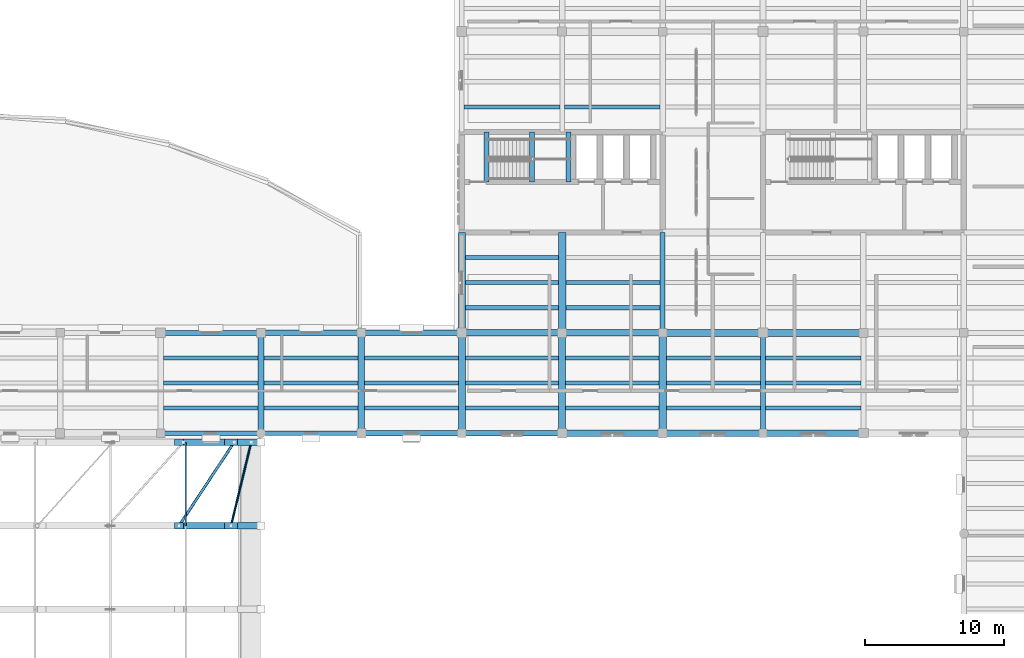
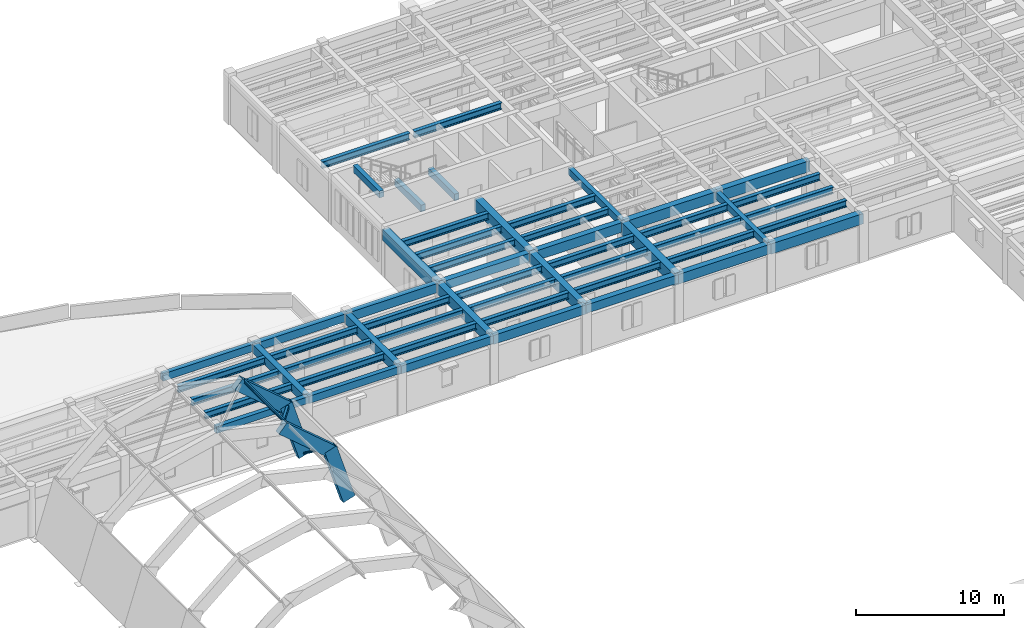
# One storey, part 12 of 66: 58 beams, 3 members.
"""IFC4 building model written with IfcOpenShell, lengths in metres."""

import ifcopenshell
import ifcopenshell.guid

model = None  # the IFC model being written
_history = None  # IfcOwnerHistory: only IFC2X3 demands one
_inside = {}  # id of a spatial element -> (the spatial element, [elements in it])
_under = {}  # id of a project, library or spatial element -> (it, [spatial elements below it])
_declared = {}  # id of a project -> (the project, [libraries it declares])
_typed = {}  # id of a type object -> (the type object, [elements of that type])
_made_of = {}  # id of a material, layer set ... -> (it, [elements and type objects made of it])


def new_model(schema):
    """Start an empty IFC model of exactly this schema.

    Asked for "IFC4X3", IfcOpenShell would pick the latest addendum, in which some entities
    have other attributes; the version numbers below select the first issue.
    IFC2X3 requires an IfcOwnerHistory on every rooted entity: one is made here for all.
    """
    global model, _history
    if schema == "IFC4X3":
        model = ifcopenshell.file(schema_version=(4, 3, 0, 0))
    else:
        model = ifcopenshell.file(schema=schema)
    _inside.clear()
    _under.clear()
    _declared.clear()
    _typed.clear()
    _made_of.clear()
    _history = None
    if model.schema == "IFC2X3":
        org = make("IfcOrganization", Name="unknown")
        user = make(
            "IfcPersonAndOrganization",
            ThePerson=make("IfcPerson", FamilyName="unknown"),
            TheOrganization=org,
        )
        app = make(
            "IfcApplication",
            ApplicationDeveloper=org,
            Version="unknown",
            ApplicationFullName="unknown",
            ApplicationIdentifier="unknown",
        )
        _history = make(
            "IfcOwnerHistory",
            OwningUser=user,
            OwningApplication=app,
            ChangeAction="ADDED",
            CreationDate=0,
        )
    return model


def make(cls, **values):
    """One entity of the class cls with the attributes given. An attribute that is None is left unset."""
    return model.create_entity(
        cls, **{name: value for name, value in values.items() if value is not None}
    )


def rooted(cls, **values):
    """An entity with a GlobalId (a new one), such as an element, a storey or a relation."""
    return make(cls, GlobalId=ifcopenshell.guid.new(), OwnerHistory=_history, **values)


def si_unit(unit_type, name, prefix=None):
    """IfcSIUnit, for example si_unit("LENGTHUNIT", "METRE", prefix="MILLI")."""
    return make("IfcSIUnit", UnitType=unit_type, Prefix=prefix, Name=name)


def assignment(units):
    """IfcUnitAssignment: the units of a project."""
    return None if units is None else make("IfcUnitAssignment", Units=units)


def point(xyz):
    """IfcCartesianPoint."""
    return None if xyz is None else make("IfcCartesianPoint", Coordinates=xyz)


def direction(xyz):
    """IfcDirection."""
    return None if xyz is None else make("IfcDirection", DirectionRatios=xyz)


def frame(location, z_axis=None, x_axis=None):
    """IfcAxis2Placement3D, a coordinate frame: its origin and axes. An axis left out is left unset."""
    return make(
        "IfcAxis2Placement3D",
        Location=point(location),
        Axis=direction(z_axis),
        RefDirection=direction(x_axis),
    )


def frame_2d(location, x_axis=None):
    """IfcAxis2Placement2D, a coordinate frame in the plane: its origin and x axis."""
    return make(
        "IfcAxis2Placement2D", Location=point(location), RefDirection=direction(x_axis)
    )


def origin():
    """The frame at (0, 0, 0) with its axes left unset."""
    return frame((0.0, 0.0, 0.0))


def origin_2d():
    """The frame at (0, 0) in the plane with its x axis left unset."""
    return frame_2d((0.0, 0.0))


def place(relative_to, where):
    """IfcLocalPlacement: puts the frame where relative to a parent placement (None: the world)."""
    return make(
        "IfcLocalPlacement", PlacementRelTo=relative_to, RelativePlacement=where
    )


def context(
    kind, dimensions, precision=None, world=None, true_north=None, identifier=None
):
    """IfcGeometricRepresentationContext, for example the 3D "Model" context."""
    return make(
        "IfcGeometricRepresentationContext",
        ContextIdentifier=identifier,
        ContextType=kind,
        CoordinateSpaceDimension=dimensions,
        Precision=precision,
        WorldCoordinateSystem=world,
        TrueNorth=true_north,
    )


def subcontext(parent, identifier, kind, view, scale=None):
    """IfcGeometricRepresentationSubContext, for example "Body" below "Model"."""
    return make(
        "IfcGeometricRepresentationSubContext",
        ContextIdentifier=identifier,
        ContextType=kind,
        ParentContext=parent,
        TargetScale=scale,
        TargetView=view,
    )


def project(units=None, contexts=None):
    """IfcProject with its units and contexts."""
    return rooted(
        "IfcProject",
        Name="project",
        RepresentationContexts=contexts,
        UnitsInContext=assignment(units),
    )


def spatial(cls, under=None, at=None, **own):
    """A site, building, storey or space (cls), placed at a placement, below another one or the project."""
    s = rooted(cls, ObjectPlacement=at, **own)
    if under is not None:
        _under.setdefault(under.id(), (under, []))[1].append(s)
    return s


def profile(cls, at=None, kind="AREA", **sizes):
    """A parametric profile (cls). Its sizes go by their IFC names, for example OverallWidth=200.0."""
    return make(cls, ProfileType=kind, Position=at, **sizes)


def rectangle(**sizes):
    """IfcRectangleProfileDef."""
    return profile("IfcRectangleProfileDef", **sizes)


def hollow_rectangle(**sizes):
    """IfcRectangleHollowProfileDef."""
    return profile("IfcRectangleHollowProfileDef", **sizes)


def hollow_circle(**sizes):
    """IfcCircleHollowProfileDef."""
    return profile("IfcCircleHollowProfileDef", **sizes)


def i_section(**sizes):
    """IfcIShapeProfileDef."""
    return profile("IfcIShapeProfileDef", **sizes)


def extrude(swept, where, along, depth):
    """IfcExtrudedAreaSolid: the profile swept, set in the frame where, extruded along a direction by depth."""
    return make(
        "IfcExtrudedAreaSolid",
        SweptArea=swept,
        Position=where,
        ExtrudedDirection=direction(along),
        Depth=depth,
    )


def shape(context_of_items, identifier, shape_type, items):
    """IfcShapeRepresentation: the items that make up one representation, for example the "Body"."""
    return make(
        "IfcShapeRepresentation",
        ContextOfItems=context_of_items,
        RepresentationIdentifier=identifier,
        RepresentationType=shape_type,
        Items=items,
    )


def material(Name=None, Category=None):
    """IfcMaterial."""
    return make("IfcMaterial", Name=Name, Category=Category)


def material_profile(
    of_material, cross_section, Name=None, Category=None, Priority=None
):
    """IfcMaterialProfile: a cross section and its material."""
    return make(
        "IfcMaterialProfile",
        Name=Name,
        Material=of_material,
        Profile=cross_section,
        Priority=Priority,
        Category=Category,
    )


def profile_set(profiles, Name=None, composite=None):
    """IfcMaterialProfileSet."""
    return make(
        "IfcMaterialProfileSet",
        Name=Name,
        MaterialProfiles=profiles,
        CompositeProfile=composite,
    )


def made_of(thing, what):
    """Note that an element or type object is made of a material, layer set ...; save() writes the relation."""
    if what is not None:
        _made_of.setdefault(what.id(), (what, []))[1].append(thing)
    return thing


def type_object(cls, material=None, **own):
    """A type object (cls), such as IfcWallType, which elements share."""
    return made_of(rooted(cls, **own), material)


def element(
    cls,
    number,
    at=None,
    inside=None,
    cuts=None,
    type_object=None,
    material=None,
    context=None,
    identifier="Body",
    shape_type=None,
    held_by="IfcProductDefinitionShape",
    body=None,
    shapes=None,
    **own,
):
    """One element of the class cls, such as IfcWall. Its Tag is "e" and its number.

    at: its placement. inside: the storey or other place that contains it. cuts: it is an
    opening in that element (IfcRelVoidsElement). A single representation is given by context,
    identifier, shape_type and body (its items); several are given by shapes. held_by: the class
    of the entity that holds the representations. save() writes the other relations.
    """
    e = rooted(cls, Tag="e%d" % number, ObjectPlacement=at, **own)
    if body is not None:
        shapes = [shape(context, identifier, shape_type, body)]
    if shapes is not None:
        e.Representation = make(held_by, Representations=shapes)
    if inside is not None:
        _inside.setdefault(inside.id(), (inside, []))[1].append(e)
    if cuts is not None:
        rooted(
            "IfcRelVoidsElement", RelatingBuildingElement=cuts, RelatedOpeningElement=e
        )
    if type_object is not None:
        _typed.setdefault(type_object.id(), (type_object, []))[1].append(e)
    return made_of(e, material)


def aggregate(whole, parts):
    """IfcRelAggregates: a whole, such as a stair, and the parts it consists of."""
    return rooted("IfcRelAggregates", RelatingObject=whole, RelatedObjects=parts)


def save(model, path):
    """Write the relations noted so far, then the file.

    IfcRelAggregates (storeys below a building ...), IfcRelContainedInSpatialStructure (elements
    in a storey), IfcRelDefinesByType, IfcRelAssociatesMaterial and IfcRelDeclares: one each for
    every whole, place, type object, material and project.
    """
    for whole, parts in _under.values():
        aggregate(whole, parts)
    for where, things in _inside.values():
        rooted(
            "IfcRelContainedInSpatialStructure",
            RelatedElements=things,
            RelatingStructure=where,
        )
    for kind, things in _typed.values():
        rooted("IfcRelDefinesByType", RelatedObjects=things, RelatingType=kind)
    for what, things in _made_of.values():
        rooted("IfcRelAssociatesMaterial", RelatedObjects=things, RelatingMaterial=what)
    for by, libraries in _declared.values():
        rooted("IfcRelDeclares", RelatingContext=by, RelatedDefinitions=libraries)
    model.write(path)


model = new_model("IFC4")

# Units and contexts
model_context = context("Model", 3, precision=1e-05, world=origin(), true_north=direction((0.0, 1.0)))
body_context = subcontext(model_context, "Body", "Model", "MODEL_VIEW")
ifc_project = project(units=[si_unit("LENGTHUNIT", "METRE"), si_unit("AREAUNIT", "SQUARE_METRE"), si_unit("VOLUMEUNIT", "CUBIC_METRE"), si_unit("PLANEANGLEUNIT", "RADIAN"), si_unit("MASSUNIT", "GRAM", prefix="KILO")], contexts=[model_context])

# Site, building, storey
site_placement = place(None, origin())
site = spatial("IfcSite", under=ifc_project, at=site_placement, CompositionType="ELEMENT")
building_placement = place(site_placement, origin())
building = spatial("IfcBuilding", under=site, at=building_placement, Name="Mithqara Police Headquarters", CompositionType="ELEMENT")
storey_placement = place(building_placement, frame((0.0, 0.0, 9.60009765625)))
storey = spatial("IfcBuildingStorey", under=building, at=storey_placement, Name="L02", CompositionType="ELEMENT", Elevation=9.60009765625)

# Beams
ifc_material_1 = material(Name="Steel S355JR", Category="steel")
ifc_material_profile_1 = material_profile(ifc_material_1, i_section(OverallWidth=0.300048828125, OverallDepth=0.550048828125, WebThickness=0.014892578125, FlangeThickness=0.029052734375, FilletRadius=0.027099609375, at=origin_2d()), Name="HEB 550")
ifc_profile_set_1 = profile_set([ifc_material_profile_1], Name="Steel S355JR")
beam_type_1 = type_object("IfcBeamType", Name="BEAM HEB550", PredefinedType="BEAM", material=ifc_profile_set_1)
for number, where, z_axis, x_axis, name in (
    (1, (87.199951171875, 80.39990234375, 3.664794921875), (1.0, 0.0, 0.0), (0.0, 1.0, 0.0), "L02 Composite Steel Joist 13-14/M.1"),
    (2, (87.199951171875, 82.199951171875, 3.664794921875), (1.0, 0.0, 0.0), (0.0, 1.0, 0.0), "L02 Composite Steel Joist 13-14/M.2"),
    (3, (87.199951171875, 84.0, 3.664794921875), (1.0, 0.0, 0.0), (0.0, 1.0, 0.0), "L02 Composite Steel Joist 13-14/M.3"),
):
    element("IfcBeam", number, at=place(storey_placement, frame(where, z_axis=z_axis, x_axis=x_axis)), inside=storey, type_object=beam_type_1, Name=name, PredefinedType="BEAM", context=body_context, shape_type="SweptSolid", body=[
        extrude(i_section(OverallWidth=0.300048828125, OverallDepth=0.550048828125, WebThickness=0.014892578125, FlangeThickness=0.029052734375, FilletRadius=0.027099609375, at=origin_2d()), origin(), (0.0, 0.0, 1.0), 6.775146484375),
    ])
for number, where, z_axis, x_axis, name in (
    (4, (94.425048828125, 80.39990234375, 3.664794921875), (1.0, 0.0, 0.0), (0.0, 1.0, 0.0), "L02 Composite Steel Joist 14-15/M.1"),
    (5, (94.425048828125, 82.199951171875, 3.664794921875), (1.0, 0.0, 0.0), (0.0, 1.0, 0.0), "L02 Composite Steel Joist 14-15/M.2"),
    (6, (94.425048828125, 84.0, 3.664794921875), (1.0, 0.0, 0.0), (0.0, 1.0, 0.0), "L02 Composite Steel Joist 14-15/M.3"),
):
    element("IfcBeam", number, at=place(storey_placement, frame(where, z_axis=z_axis, x_axis=x_axis)), inside=storey, type_object=beam_type_1, Name=name, PredefinedType="BEAM", context=body_context, shape_type="SweptSolid", body=[
        extrude(i_section(OverallWidth=0.300048828125, OverallDepth=0.550048828125, WebThickness=0.014892578125, FlangeThickness=0.029052734375, FilletRadius=0.027099609375, at=origin_2d()), origin(), (0.0, 0.0, 1.0), 6.75),
    ])
for number, where, z_axis, x_axis, name in (
    (7, (101.625, 80.39990234375, 3.664794921875), (1.0, 0.0, 0.0), (0.0, 1.0, 0.0), "L02 Composite Steel Joist 15-16/M.1"),
    (8, (101.625, 82.199951171875, 3.664794921875), (1.0, 0.0, 0.0), (0.0, 1.0, 0.0), "L02 Composite Steel Joist 15-16/M.2"),
    (9, (101.625, 84.0, 3.664794921875), (1.0, 0.0, 0.0), (0.0, 1.0, 0.0), "L02 Composite Steel Joist 15-16/M.3"),
):
    element("IfcBeam", number, at=place(storey_placement, frame(where, z_axis=z_axis, x_axis=x_axis)), inside=storey, type_object=beam_type_1, Name=name, PredefinedType="BEAM", context=body_context, shape_type="SweptSolid", body=[
        extrude(i_section(OverallWidth=0.300048828125, OverallDepth=0.550048828125, WebThickness=0.014892578125, FlangeThickness=0.029052734375, FilletRadius=0.027099609375, at=origin_2d()), origin(), (0.0, 0.0, 1.0), 6.72509765625),
    ])
for number, where, z_axis, x_axis, name in (
    (10, (108.85009765625, 80.39990234375, 3.664794921875), (1.0, 0.0, 0.0), (0.0, 1.0, 0.0), "L02 Composite Steel Joist 16-17/M.1"),
    (11, (108.85009765625, 82.199951171875, 3.664794921875), (1.0, 0.0, 0.0), (0.0, 1.0, 0.0), "L02 Composite Steel Joist 16-17/M.2"),
    (12, (108.85009765625, 84.0, 3.664794921875), (1.0, 0.0, 0.0), (0.0, 1.0, 0.0), "L02 Composite Steel Joist 16-17/M.3"),
):
    element("IfcBeam", number, at=place(storey_placement, frame(where, z_axis=z_axis, x_axis=x_axis)), inside=storey, type_object=beam_type_1, Name=name, PredefinedType="BEAM", context=body_context, shape_type="SweptSolid", body=[
        extrude(i_section(OverallWidth=0.300048828125, OverallDepth=0.550048828125, WebThickness=0.014892578125, FlangeThickness=0.029052734375, FilletRadius=0.027099609375, at=origin_2d()), origin(), (0.0, 0.0, 1.0), 6.699951171875),
    ])
for number, where, z_axis, x_axis, name in (
    (13, (108.85009765625, 87.60009765625, 3.664794921875), (1.0, 0.0, 0.0), (0.0, 1.0, 0.0), "L02 Composite Steel Joist 16-17/N.1"),
    (14, (108.85009765625, 89.39990234375, 3.664794921875), (1.0, 0.0, 0.0), (0.0, 1.0, 0.0), "L02 Composite Steel Joist 16-17/N.2"),
    (15, (108.85009765625, 91.199951171875, 3.664794921875), (1.0, 0.0, 0.0), (0.0, 1.0, 0.0), "L02 Composite Steel Joist 16-17/N.3"),
):
    element("IfcBeam", number, at=place(storey_placement, frame(where, z_axis=z_axis, x_axis=x_axis)), inside=storey, type_object=beam_type_1, Name=name, PredefinedType="BEAM", context=body_context, shape_type="SweptSolid", body=[
        extrude(i_section(OverallWidth=0.300048828125, OverallDepth=0.550048828125, WebThickness=0.014892578125, FlangeThickness=0.029052734375, FilletRadius=0.027099609375, at=origin_2d()), origin(), (0.0, 0.0, 1.0), 6.6748046875),
    ])
beam_1_placement = place(storey_placement, frame((108.77490234375, 102.0, 3.664794921875), z_axis=(1.0, 0.0, 0.0), x_axis=(0.0, 1.0, 0.0)))
element("IfcBeam", 16, at=beam_1_placement, inside=storey, type_object=beam_type_1, Name="L02 Composite Steel Joist 16-17/Q.1", PredefinedType="BEAM", context=body_context, shape_type="SweptSolid", body=[
    extrude(i_section(OverallWidth=0.300048828125, OverallDepth=0.550048828125, WebThickness=0.014892578125, FlangeThickness=0.029052734375, FilletRadius=0.027099609375, at=origin_2d()), origin(), (0.0, 0.0, 1.0), 6.85009765625),
])
for number, where, z_axis, x_axis, name in (
    (17, (116.050048828125, 80.39990234375, 3.664794921875), (1.0, 0.0, 0.0), (0.0, 1.0, 0.0), "L02 Composite Steel Joist 17-18/M.1"),
    (18, (116.050048828125, 82.199951171875, 3.664794921875), (1.0, 0.0, 0.0), (0.0, 1.0, 0.0), "L02 Composite Steel Joist 17-18/M.2"),
    (19, (116.050048828125, 84.0, 3.664794921875), (1.0, 0.0, 0.0), (0.0, 1.0, 0.0), "L02 Composite Steel Joist 17-18/M.3"),
):
    element("IfcBeam", number, at=place(storey_placement, frame(where, z_axis=z_axis, x_axis=x_axis)), inside=storey, type_object=beam_type_1, Name=name, PredefinedType="BEAM", context=body_context, shape_type="SweptSolid", body=[
        extrude(i_section(OverallWidth=0.300048828125, OverallDepth=0.550048828125, WebThickness=0.014892578125, FlangeThickness=0.029052734375, FilletRadius=0.027099609375, at=origin_2d()), origin(), (0.0, 0.0, 1.0), 6.675048828125),
    ])
for number, where, z_axis, x_axis, name in (
    (20, (116.074951171875, 87.60009765625, 3.664794921875), (1.0, 0.0, 0.0), (0.0, 1.0, 0.0), "L02 Composite Steel Joist 17-18/N.1"),
    (21, (116.074951171875, 89.39990234375, 3.664794921875), (1.0, 0.0, 0.0), (0.0, 1.0, 0.0), "L02 Composite Steel Joist 17-18/N.2"),
):
    element("IfcBeam", number, at=place(storey_placement, frame(where, z_axis=z_axis, x_axis=x_axis)), inside=storey, type_object=beam_type_1, Name=name, PredefinedType="BEAM", context=body_context, shape_type="SweptSolid", body=[
        extrude(i_section(OverallWidth=0.300048828125, OverallDepth=0.550048828125, WebThickness=0.014892578125, FlangeThickness=0.029052734375, FilletRadius=0.027099609375, at=origin_2d()), origin(), (0.0, 0.0, 1.0), 6.75),
    ])
beam_2_placement = place(storey_placement, frame((115.97509765625, 102.0, 3.664794921875), z_axis=(1.0, 0.0, 0.0), x_axis=(0.0, 1.0, 0.0)))
element("IfcBeam", 22, at=beam_2_placement, inside=storey, type_object=beam_type_1, Name="L02 Composite Steel Joist 17-18/Q.1", PredefinedType="BEAM", context=body_context, shape_type="SweptSolid", body=[
    extrude(i_section(OverallWidth=0.300048828125, OverallDepth=0.550048828125, WebThickness=0.014892578125, FlangeThickness=0.029052734375, FilletRadius=0.027099609375, at=origin_2d()), origin(), (0.0, 0.0, 1.0), 6.824951171875),
])
for number, where, z_axis, x_axis, name in (
    (23, (123.27490234375, 80.39990234375, 3.664794921875), (1.0, 0.0, 0.0), (0.0, 1.0, 0.0), "L02 Composite Steel Joist 18-19/M.1"),
    (24, (123.27490234375, 82.199951171875, 3.664794921875), (1.0, 0.0, 0.0), (0.0, 1.0, 0.0), "L02 Composite Steel Joist 18-19/M.2"),
    (25, (123.27490234375, 84.0, 3.664794921875), (1.0, 0.0, 0.0), (0.0, 1.0, 0.0), "L02 Composite Steel Joist 18-19/M.3"),
):
    element("IfcBeam", number, at=place(storey_placement, frame(where, z_axis=z_axis, x_axis=x_axis)), inside=storey, type_object=beam_type_1, Name=name, PredefinedType="BEAM", context=body_context, shape_type="SweptSolid", body=[
        extrude(i_section(OverallWidth=0.300048828125, OverallDepth=0.550048828125, WebThickness=0.014892578125, FlangeThickness=0.029052734375, FilletRadius=0.027099609375, at=origin_2d()), origin(), (0.0, 0.0, 1.0), 6.75),
    ])
for number, where, z_axis, x_axis, name in (
    (26, (130.375, 80.39990234375, 3.664794921875), (1.0, 0.0, 0.0), (0.0, 1.0, 0.0), "L02 Composite Steel Joist 19-20/M.1"),
    (27, (130.375, 82.199951171875, 3.664794921875), (1.0, 0.0, 0.0), (0.0, 1.0, 0.0), "L02 Composite Steel Joist 19-20/M.2"),
    (28, (130.375, 84.0, 3.664794921875), (1.0, 0.0, 0.0), (0.0, 1.0, 0.0), "L02 Composite Steel Joist 19-20/M.3"),
):
    element("IfcBeam", number, at=place(storey_placement, frame(where, z_axis=z_axis, x_axis=x_axis)), inside=storey, type_object=beam_type_1, Name=name, PredefinedType="BEAM", context=body_context, shape_type="SweptSolid", body=[
        extrude(i_section(OverallWidth=0.300048828125, OverallDepth=0.550048828125, WebThickness=0.014892578125, FlangeThickness=0.029052734375, FilletRadius=0.027099609375, at=origin_2d()), origin(), (0.0, 0.0, 1.0), 6.85009765625),
    ])
ifc_material_2 = material(Name="Concrete C40/50", Category="concrete")
ifc_material_profile_2 = material_profile(ifc_material_2, rectangle(XDim=0.35009765625, YDim=0.550048828125, at=origin_2d()), Name="RC 350x550")
ifc_profile_set_2 = profile_set([ifc_material_profile_2], Name="Concrete C40/50")
beam_type_2 = type_object("IfcBeamType", Name="BEAM RC350X550", PredefinedType="BEAM", material=ifc_profile_set_2)
for number, where, z_axis, x_axis, name in (
    (29, (87.0, 78.60009765625, 3.664794921875), (1.0, 0.0, 0.0), (0.0, 1.0, 0.0), "L02 Girder 13-14/M"),
    (30, (123.0, 85.800048828125, 3.664794921875), (0.0, 1.0, 0.0), (-1.0, 0.0, 0.0), "L02 Girder 18/N-P"),
    (31, (130.199951171875, 78.60009765625, 3.664794921875), (0.0, 1.0, 0.0), (-1.0, 0.0, 0.0), "L02 Girder 19/M-N"),
):
    element("IfcBeam", number, at=place(storey_placement, frame(where, z_axis=z_axis, x_axis=x_axis)), inside=storey, type_object=beam_type_2, Name=name, PredefinedType="BEAM", context=body_context, shape_type="SweptSolid", body=[
        extrude(rectangle(XDim=0.35009765625, YDim=0.550048828125, at=origin_2d()), origin(), (0.0, 0.0, 1.0), 7.199951171875),
    ])
for number, where, z_axis, x_axis, name in (
    (32, (113.6298828125, 96.6201171875, 1.635009765625), (0.0, 1.0, 0.0), (-1.0, 0.0, 0.0), "L02 ST-01 Half-Landing Bearer LF"),
    (33, (116.25, 96.6201171875, 1.635009765625), (0.0, 1.0, 0.0), (-1.0, 0.0, 0.0), "L02 ST-01 Half-Landing Bearer LB"),
    (34, (110.376953125, 96.6201171875, 3.9248046875), (0.0, 1.0, 0.0), (-1.0, 0.0, 0.0), "L02 ST-01 Stairwell Trimmer Beam"),
):
    element("IfcBeam", number, at=place(storey_placement, frame(where, z_axis=z_axis, x_axis=x_axis)), inside=storey, type_object=beam_type_2, Name=name, PredefinedType="BEAM", context=body_context, shape_type="SweptSolid", body=[
        extrude(rectangle(XDim=0.35009765625, YDim=0.550048828125, at=origin_2d()), origin(), (0.0, 0.0, 1.0), 3.579833984375),
    ])
ifc_material_profile_3 = material_profile(ifc_material_2, rectangle(XDim=0.35009765625, YDim=0.60009765625, at=origin_2d()), Name="RC 350x600")
ifc_profile_set_3 = profile_set([ifc_material_profile_3], Name="Concrete C40/50")
beam_type_3 = type_object("IfcBeamType", Name="BEAM RC350X600", PredefinedType="BEAM", material=ifc_profile_set_3)
for number, where, z_axis, x_axis, name in (
    (35, (87.0, 85.800048828125, 3.639892578125), (1.0, 0.0, 0.0), (0.0, 1.0, 0.0), "L02 Girder 13-14/N"),
    (36, (94.199951171875, 78.60009765625, 3.639892578125), (1.0, 0.0, 0.0), (0.0, 1.0, 0.0), "L02 Girder 14-15/M"),
):
    element("IfcBeam", number, at=place(storey_placement, frame(where, z_axis=z_axis, x_axis=x_axis)), inside=storey, type_object=beam_type_3, Name=name, PredefinedType="BEAM", context=body_context, shape_type="SweptSolid", body=[
        extrude(rectangle(XDim=0.35009765625, YDim=0.60009765625, at=origin_2d()), origin(), (0.0, 0.0, 1.0), 7.199951171875),
    ])
ifc_material_profile_4 = material_profile(ifc_material_2, rectangle(XDim=0.39990234375, YDim=0.64990234375, at=origin_2d()), Name="RC 400x650")
ifc_profile_set_4 = profile_set([ifc_material_profile_4], Name="Concrete C40/50")
beam_type_4 = type_object("IfcBeamType", Name="BEAM RC400X650", PredefinedType="BEAM", material=ifc_profile_set_4)
beam_3_placement = place(storey_placement, frame((94.199951171875, 85.800048828125, 3.614990234375), z_axis=(1.0, 0.0, 0.0), x_axis=(0.0, 1.0, 0.0)))
element("IfcBeam", 37, at=beam_3_placement, inside=storey, type_object=beam_type_4, Name="L02 Girder 14-15/N", PredefinedType="BEAM", context=body_context, shape_type="SweptSolid", body=[
    extrude(rectangle(XDim=0.39990234375, YDim=0.64990234375, at=origin_2d()), origin(), (0.0, 0.0, 1.0), 7.199951171875),
])
beam_4_placement = place(storey_placement, frame((101.39990234375, 78.60009765625, 3.614990234375), z_axis=(1.0, 0.0, 0.0), x_axis=(0.0, 1.0, 0.0)))
element("IfcBeam", 38, at=beam_4_placement, inside=storey, type_object=beam_type_4, Name="L02 Girder 15-16/M", PredefinedType="BEAM", context=body_context, shape_type="SweptSolid", body=[
    extrude(rectangle(XDim=0.39990234375, YDim=0.64990234375, at=origin_2d()), origin(), (0.0, 0.0, 1.0), 7.2001953125),
])
ifc_material_profile_5 = material_profile(ifc_material_2, rectangle(XDim=0.39990234375, YDim=0.75, at=origin_2d()), Name="RC 400x750")
ifc_profile_set_5 = profile_set([ifc_material_profile_5], Name="Concrete C40/50")
beam_type_5 = type_object("IfcBeamType", Name="BEAM RC400X750", PredefinedType="BEAM", material=ifc_profile_set_5)
beam_5_placement = place(storey_placement, frame((101.39990234375, 85.800048828125, 3.56494140625), z_axis=(1.0, 0.0, 0.0), x_axis=(0.0, 1.0, 0.0)))
element("IfcBeam", 39, at=beam_5_placement, inside=storey, type_object=beam_type_5, Name="L02 Girder 15-16/N", PredefinedType="BEAM", context=body_context, shape_type="SweptSolid", body=[
    extrude(rectangle(XDim=0.39990234375, YDim=0.75, at=origin_2d()), origin(), (0.0, 0.0, 1.0), 7.2001953125),
])
beam_6_placement = place(storey_placement, frame((108.60009765625, 78.60009765625, 3.56494140625), z_axis=(1.0, 0.0, 0.0), x_axis=(0.0, 1.0, 0.0)))
element("IfcBeam", 40, at=beam_6_placement, inside=storey, type_object=beam_type_5, Name="L02 Girder 16-17/M", PredefinedType="BEAM", context=body_context, shape_type="SweptSolid", body=[
    extrude(rectangle(XDim=0.39990234375, YDim=0.75, at=origin_2d()), origin(), (0.0, 0.0, 1.0), 7.199951171875),
])
ifc_material_profile_6 = material_profile(ifc_material_2, rectangle(XDim=0.449951171875, YDim=0.699951171875, at=origin_2d()), Name="RC 450x700")
ifc_profile_set_6 = profile_set([ifc_material_profile_6], Name="Concrete C40/50")
beam_type_6 = type_object("IfcBeamType", Name="BEAM RC450X700", PredefinedType="BEAM", material=ifc_profile_set_6)
for number, where, z_axis, x_axis, name in (
    (41, (94.199951171875, 78.60009765625, 3.58984375), (0.0, 1.0, 0.0), (-1.0, 0.0, 0.0), "L02 Girder 14/M-N"),
    (42, (108.60009765625, 85.800048828125, 3.58984375), (1.0, 0.0, 0.0), (0.0, 1.0, 0.0), "L02 Girder 16-17/N"),
    (43, (115.800048828125, 78.60009765625, 3.58984375), (1.0, 0.0, 0.0), (0.0, 1.0, 0.0), "L02 Girder 17-18/M"),
):
    element("IfcBeam", number, at=place(storey_placement, frame(where, z_axis=z_axis, x_axis=x_axis)), inside=storey, type_object=beam_type_6, Name=name, PredefinedType="BEAM", context=body_context, shape_type="SweptSolid", body=[
        extrude(rectangle(XDim=0.449951171875, YDim=0.699951171875, at=origin_2d()), origin(), (0.0, 0.0, 1.0), 7.199951171875),
    ])
ifc_material_profile_7 = material_profile(ifc_material_2, rectangle(XDim=0.449951171875, YDim=0.800048828125, at=origin_2d()), Name="RC 450x800")
ifc_profile_set_7 = profile_set([ifc_material_profile_7], Name="Concrete C40/50")
beam_type_7 = type_object("IfcBeamType", Name="BEAM RC450X800", PredefinedType="BEAM", material=ifc_profile_set_7)
for number, where, z_axis, x_axis, name in (
    (44, (101.39990234375, 78.60009765625, 3.539794921875), (0.0, 1.0, 0.0), (-1.0, 0.0, 0.0), "L02 Girder 15/M-N"),
    (45, (115.800048828125, 85.800048828125, 3.539794921875), (1.0, 0.0, 0.0), (0.0, 1.0, 0.0), "L02 Girder 17-18/N"),
    (46, (123.0, 78.60009765625, 3.539794921875), (1.0, 0.0, 0.0), (0.0, 1.0, 0.0), "L02 Girder 18-19/M"),
):
    element("IfcBeam", number, at=place(storey_placement, frame(where, z_axis=z_axis, x_axis=x_axis)), inside=storey, type_object=beam_type_7, Name=name, PredefinedType="BEAM", context=body_context, shape_type="SweptSolid", body=[
        extrude(rectangle(XDim=0.449951171875, YDim=0.800048828125, at=origin_2d()), origin(), (0.0, 0.0, 1.0), 7.199951171875),
    ])
ifc_material_profile_8 = material_profile(ifc_material_2, rectangle(XDim=0.5, YDim=0.85009765625, at=origin_2d()), Name="RC 500x850")
ifc_profile_set_8 = profile_set([ifc_material_profile_8], Name="Concrete C40/50")
beam_type_8 = type_object("IfcBeamType", Name="BEAM RC500X850", PredefinedType="BEAM", material=ifc_profile_set_8)
for number, where, z_axis, x_axis, name in (
    (47, (108.60009765625, 78.60009765625, 3.514892578125), (0.0, 1.0, 0.0), (-1.0, 0.0, 0.0), "L02 Girder 16/M-N"),
    (48, (123.0, 85.800048828125, 3.514892578125), (1.0, 0.0, 0.0), (0.0, 1.0, 0.0), "L02 Girder 18-19/N"),
    (49, (130.199951171875, 78.60009765625, 3.514892578125), (1.0, 0.0, 0.0), (0.0, 1.0, 0.0), "L02 Girder 19-20/M"),
):
    element("IfcBeam", number, at=place(storey_placement, frame(where, z_axis=z_axis, x_axis=x_axis)), inside=storey, type_object=beam_type_8, Name=name, PredefinedType="BEAM", context=body_context, shape_type="SweptSolid", body=[
        extrude(rectangle(XDim=0.5, YDim=0.85009765625, at=origin_2d()), origin(), (0.0, 0.0, 1.0), 7.199951171875),
    ])
ifc_material_3 = material(Name="Concrete C50/60", Category="concrete")
ifc_material_profile_9 = material_profile(ifc_material_3, rectangle(XDim=0.5, YDim=0.89990234375, at=origin_2d()), Name="RC 500x900")
ifc_profile_set_9 = profile_set([ifc_material_profile_9], Name="Concrete C50/60")
beam_type_9 = type_object("IfcBeamType", Name="BEAM RC500X900", PredefinedType="BEAM", material=ifc_profile_set_9)
for number, where, z_axis, x_axis, name in (
    (50, (108.60009765625, 85.800048828125, 3.489990234375), (0.0, 1.0, 0.0), (-1.0, 0.0, 0.0), "L02 Girder 16/N-P"),
    (51, (115.800048828125, 78.60009765625, 3.489990234375), (0.0, 1.0, 0.0), (-1.0, 0.0, 0.0), "L02 Girder 17/M-N"),
    (52, (130.199951171875, 85.800048828125, 3.489990234375), (1.0, 0.0, 0.0), (0.0, 1.0, 0.0), "L02 Girder 19-20/N"),
):
    element("IfcBeam", number, at=place(storey_placement, frame(where, z_axis=z_axis, x_axis=x_axis)), inside=storey, type_object=beam_type_9, Name=name, PredefinedType="BEAM", context=body_context, shape_type="SweptSolid", body=[
        extrude(rectangle(XDim=0.5, YDim=0.89990234375, at=origin_2d()), origin(), (0.0, 0.0, 1.0), 7.199951171875),
    ])
ifc_material_profile_10 = material_profile(ifc_material_3, rectangle(XDim=0.550048828125, YDim=1.0, at=origin_2d()), Name="RC 550x1000")
ifc_profile_set_10 = profile_set([ifc_material_profile_10], Name="Concrete C50/60")
beam_type_10 = type_object("IfcBeamType", Name="BEAM RC550X1000", PredefinedType="BEAM", material=ifc_profile_set_10)
for number, where, z_axis, x_axis, name in (
    (53, (115.800048828125, 85.800048828125, 3.43994140625), (0.0, 1.0, 0.0), (-1.0, 0.0, 0.0), "L02 Girder 17/N-P"),
    (54, (123.0, 78.60009765625, 3.43994140625), (0.0, 1.0, 0.0), (-1.0, 0.0, 0.0), "L02 Girder 18/M-N"),
):
    element("IfcBeam", number, at=place(storey_placement, frame(where, z_axis=z_axis, x_axis=x_axis)), inside=storey, type_object=beam_type_10, Name=name, PredefinedType="BEAM", context=body_context, shape_type="SweptSolid", body=[
        extrude(rectangle(XDim=0.550048828125, YDim=1.0, at=origin_2d()), origin(), (0.0, 0.0, 1.0), 7.199951171875),
    ])

# Members
ifc_material_profile_11 = material_profile(ifc_material_1, hollow_circle(Radius=0.084228515625, WallThickness=0.008056640625, at=origin_2d()), Name="CHS 168.3x8.0")
ifc_profile_set_11 = profile_set([ifc_material_profile_11], Name="Steel S355JR")
member_type_1 = type_object("IfcMemberType", Name="BRACE CHS168", PredefinedType="BRACE", material=ifc_profile_set_11)
member_1_placement = place(storey_placement, frame((92.052001953125, 71.96435546875, 4.37939453125), z_axis=(0.188224538172, 0.778721060137, -0.598468907905), x_axis=(-0.972008882292, 0.234944105578, 0.0)))
element("IfcMember", 55, at=member_1_placement, inside=storey, type_object=member_type_1, Name="Public Entrance Hall Barrel Vault Vault Wind Brace Bay 7 Facet 6", PredefinedType="BRACE", context=body_context, shape_type="SweptSolid", body=[
    extrude(hollow_circle(Radius=0.084228515625, WallThickness=0.008056640625, at=origin_2d()), origin(), (0.0, 0.0, 1.0), 7.6865234375),
])
ifc_material_profile_12 = material_profile(ifc_material_1, hollow_rectangle(XDim=0.199951171875, YDim=0.300048828125, WallThickness=0.012451171875, InnerFilletRadius=0.012451171875, OuterFilletRadius=0.02490234375, at=origin_2d()), Name="RHS 300x200x12.5")
ifc_profile_set_12 = profile_set([ifc_material_profile_12], Name="Steel S355JR")
member_type_2 = type_object("IfcMemberType", Name="BRACE RHS300", PredefinedType="BRACE", material=ifc_profile_set_12)
member_2_placement = place(storey_placement, frame((88.323486328125, 71.96435546875, 7.40771484375), z_axis=(0.498862613328, 0.755349227455, -0.424951335575), x_axis=(-0.834440689839, 0.551097754614, 0.0)))
element("IfcMember", 56, at=member_2_placement, inside=storey, type_object=member_type_2, Name="Public Entrance Hall Barrel Vault Vault Wind Brace Bay 7 Facet 5", PredefinedType="BRACE", context=body_context, shape_type="SweptSolid", body=[
    extrude(hollow_rectangle(XDim=0.199951171875, YDim=0.300048828125, WallThickness=0.012451171875, InnerFilletRadius=0.012451171875, OuterFilletRadius=0.02490234375, at=origin_2d()), origin(), (0.0, 0.0, 1.0), 7.92431640625),
])
ifc_material_profile_13 = material_profile(ifc_material_1, i_section(OverallWidth=0.1201171875, OverallDepth=0.239990234375, WebThickness=0.006103515625, FlangeThickness=0.009765625, FilletRadius=0.014892578125, at=origin_2d()), Name="IPE 240")
ifc_profile_set_13 = profile_set([ifc_material_profile_13], Name="Steel S355JR")
member_type_3 = type_object("IfcMemberType", Name="PURLIN IPE240", PredefinedType="PURLIN", material=ifc_profile_set_13)
member_3_placement = place(storey_placement, frame((88.800048828125, 71.96435546875, 7.477294921875), z_axis=(0.0, 1.0, 0.0), x_axis=(-1.0, 0.0, 0.0)))
element("IfcMember", 57, at=member_3_placement, inside=storey, type_object=member_type_3, Name="Public Entrance Hall Barrel Vault Roof Purlin Bay 7.4", PredefinedType="PURLIN", context=body_context, shape_type="SweptSolid", body=[
    extrude(i_section(OverallWidth=0.1201171875, OverallDepth=0.239990234375, WebThickness=0.006103515625, FlangeThickness=0.009765625, FilletRadius=0.014892578125, at=origin_2d()), origin(), (0.0, 0.0, 1.0), 5.985595703125),
])

# Beams
ifc_material_profile_14 = material_profile(ifc_material_3, rectangle(XDim=0.449951171875, YDim=0.949951171875, at=origin_2d()), Name="RIB 450x950")
ifc_profile_set_14 = profile_set([ifc_material_profile_14], Name="Concrete C50/60")
beam_type_11 = type_object("IfcBeamType", Name="VAULT RIB 450X950", PredefinedType="BEAM", material=ifc_profile_set_14)
beam_7_placement = place(storey_placement, frame((88.323486328125, 71.96435546875, 7.40771484375), z_axis=(0.761247528234, 0.0, -0.648461410384), x_axis=(0.0, 1.0, 0.0)))
element("IfcBeam", 58, at=beam_7_placement, inside=storey, type_object=beam_type_11, Name="Public Entrance Hall Barrel Vault Arch Rib 7 Chord 5", PredefinedType="BEAM", context=body_context, shape_type="SweptSolid", body=[
    extrude(rectangle(XDim=0.449951171875, YDim=0.949951171875, at=origin_2d()), origin(), (0.0, 0.0, 1.0), 5.19287109375),
])
beam_8_placement = place(storey_placement, frame((92.052001953125, 71.96435546875, 4.37939453125), z_axis=(0.300021429234, 0.0, -0.95393246197), x_axis=(0.0, 1.0, 0.0)))
element("IfcBeam", 59, at=beam_8_placement, inside=storey, type_object=beam_type_11, Name="Public Entrance Hall Barrel Vault Arch Rib 7 Chord 6", PredefinedType="BEAM", context=body_context, shape_type="SweptSolid", body=[
    extrude(rectangle(XDim=0.449951171875, YDim=0.949951171875, at=origin_2d()), origin(), (0.0, 0.0, 1.0), 4.822265625),
])
beam_9_placement = place(storey_placement, frame((88.323486328125, 77.949951171875, 7.40771484375), z_axis=(0.761247528234, 0.0, -0.648461410384), x_axis=(0.0, 1.0, 0.0)))
element("IfcBeam", 60, at=beam_9_placement, inside=storey, type_object=beam_type_11, Name="Public Entrance Hall Barrel Vault Arch Rib 8 Chord 5", PredefinedType="BEAM", context=body_context, shape_type="SweptSolid", body=[
    extrude(rectangle(XDim=0.449951171875, YDim=0.949951171875, at=origin_2d()), origin(), (0.0, 0.0, 1.0), 5.19287109375),
])
beam_10_placement = place(storey_placement, frame((92.052001953125, 77.949951171875, 4.37939453125), z_axis=(0.300021429234, 0.0, -0.95393246197), x_axis=(0.0, 1.0, 0.0)))
element("IfcBeam", 61, at=beam_10_placement, inside=storey, type_object=beam_type_11, Name="Public Entrance Hall Barrel Vault Arch Rib 8 Chord 6", PredefinedType="BEAM", context=body_context, shape_type="SweptSolid", body=[
    extrude(rectangle(XDim=0.449951171875, YDim=0.949951171875, at=origin_2d()), origin(), (0.0, 0.0, 1.0), 4.822265625),
])

save(model, "model.ifc")
